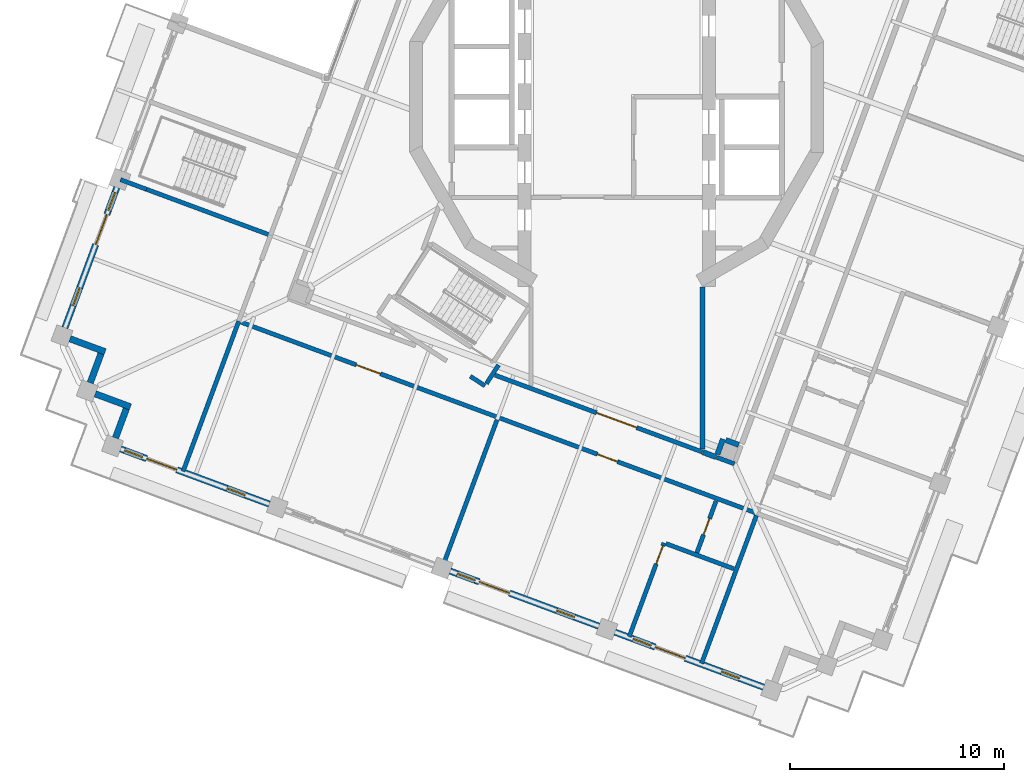
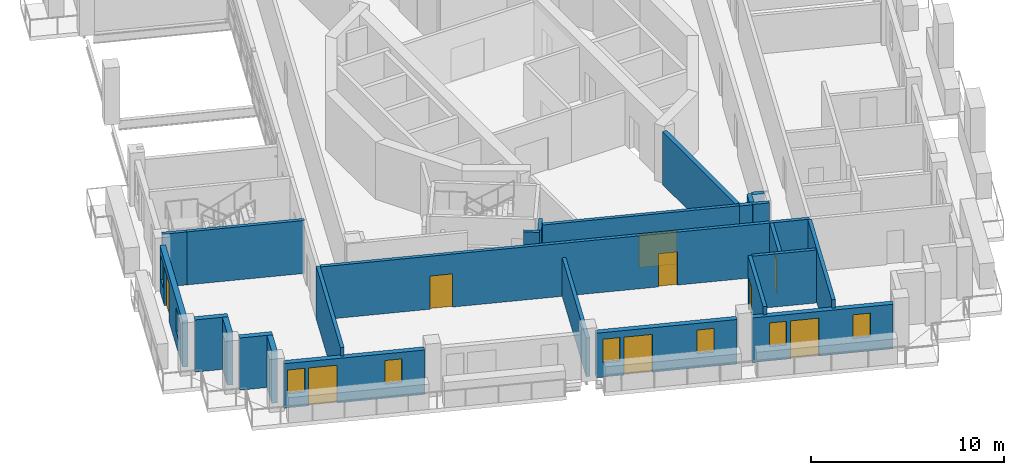
# One storey, part 7 of 20: 25 walls, 9 doors, 8 windows, 17 openings.
"""IFC4 building model written with IfcOpenShell, lengths in metres."""

from ifc_helpers import new_model, si_unit, direction, frame, frame_2d, origin, place, context, subcontext, project, spatial, rectangle, extrude, material, layer, layer_set, type_object, element, fill, save


model = new_model("IFC4")

# Units and contexts
model_context = context("Model", 3, precision=1e-05, world=origin(), true_north=direction((0.0, 1.0)))
body_context = subcontext(model_context, "Body", "Model", "MODEL_VIEW")
ifc_project = project(units=[si_unit("LENGTHUNIT", "METRE"), si_unit("AREAUNIT", "SQUARE_METRE"), si_unit("VOLUMEUNIT", "CUBIC_METRE"), si_unit("PLANEANGLEUNIT", "RADIAN"), si_unit("MASSUNIT", "GRAM", prefix="KILO")], contexts=[model_context])

# Site, building, storey
site_placement = place(None, origin())
site = spatial("IfcSite", under=ifc_project, at=site_placement, CompositionType="ELEMENT")
building_placement = place(site_placement, origin())
building = spatial("IfcBuilding", under=site, at=building_placement, Name="Cantera Rosa Tower", CompositionType="ELEMENT")
storey_placement = place(building_placement, frame((0.0, 0.0, 309.699951171875)))
storey = spatial("IfcBuildingStorey", under=building, at=storey_placement, Name="L68", CompositionType="ELEMENT", Elevation=309.699951171875)

# Wall, openings, doors
ifc_material_1 = material(Name="Gypsum board partition")
ifc_layer_1 = layer(ifc_material_1, 0.199951171875)
ifc_layer_set_1 = layer_set([ifc_layer_1], Name="CORRIDOR WALL 200 H3350")
wall_type_1 = type_object("IfcWallType", Name="CORRIDOR WALL 200 H3350", PredefinedType="PARTITIONING", material=ifc_layer_set_1)
wall_1_placement = place(storey_placement, frame((-17.52587890625, -10.515380859375, 0.0), z_axis=(0.0, 0.0, 1.0), x_axis=(0.937685670384, -0.347484652261, 0.0)))
wall_1 = element("IfcWall", 1, at=wall_1_placement, inside=storey, type_object=wall_type_1, Name="CORRIDOR WALL L68-004", PredefinedType="PARTITIONING", context=body_context, shape_type="SweptSolid", body=[
    extrude(rectangle(XDim=25.679931640625, YDim=0.199951171875, at=frame_2d((12.83984375, 0.0))), origin(), (0.0, 0.0, 1.0), 3.35009765625),
])
opening_1_placement = place(wall_1_placement, frame((5.72998046875, 0.0, 0.0)))
opening_1 = element("IfcOpeningElement", 2, at=opening_1_placement, cuts=wall_1, Name="Opening L68-027", PredefinedType="OPENING", context=body_context, shape_type="SweptSolid", body=[
    extrude(rectangle(XDim=1.199951171875, YDim=2.10009765625, at=frame_2d((0.60009765625, 1.050048828125))), frame((0.0, 0.10986328125, 0.0), z_axis=(0.0, -1.0, 0.0), x_axis=(1.0, 0.0, 0.0)), (0.0, 0.0, 1.0), 0.219970703125),
])
opening_2_placement = place(wall_1_placement, frame((17.72998046875, 0.0, 0.0)))
opening_2 = element("IfcOpeningElement", 3, at=opening_2_placement, cuts=wall_1, Name="Opening L68-028", PredefinedType="OPENING", context=body_context, shape_type="SweptSolid", body=[
    extrude(rectangle(XDim=1.0, YDim=2.10009765625, at=frame_2d((0.5, 1.050048828125))), frame((0.0, 0.10986328125, 0.0), z_axis=(0.0, -1.0, 0.0), x_axis=(1.0, 0.0, 0.0)), (0.0, 0.0, 1.0), 0.219970703125),
])
ifc_material_2 = material(Name="Timber door leaf", Category="wood")
door_type_1 = type_object("IfcDoorType", Name="ENTRANCE DOOR 1000x2100", OperationType="NOTDEFINED", PredefinedType="DOOR", material=ifc_material_2)
door_1_placement = place(opening_2_placement, origin())
door_1 = element("IfcDoor", 4, at=door_1_placement, inside=storey, type_object=door_type_1, Name="DOOR L68-028", OperationType="NOTDEFINED", OverallHeight=2.10009765625, OverallWidth=1.0, PredefinedType="DOOR", context=body_context, shape_type="SweptSolid", body=[
    extrude(rectangle(XDim=1.0, YDim=2.10009765625, at=frame_2d((0.5, 1.050048828125))), frame((0.0, 0.02490234375, 0.0), z_axis=(0.0, -1.0, 0.0), x_axis=(1.0, 0.0, 0.0)), (0.0, 0.0, 1.0), 0.050048828125),
])
fill(opening_2, door_1)
ifc_material_3 = material(Name="Timber door leaf", Category="wood")
door_type_2 = type_object("IfcDoorType", Name="ROOM DOOR 1200x2100", OperationType="NOTDEFINED", PredefinedType="DOOR", material=ifc_material_3)
door_2_placement = place(opening_1_placement, origin())
door_2 = element("IfcDoor", 5, at=door_2_placement, inside=storey, type_object=door_type_2, Name="DOOR L68-027", OperationType="NOTDEFINED", OverallHeight=2.10009765625, OverallWidth=1.199951171875, PredefinedType="DOOR", context=body_context, shape_type="SweptSolid", body=[
    extrude(rectangle(XDim=1.199951171875, YDim=2.10009765625, at=frame_2d((0.60009765625, 1.050048828125))), frame((0.0, 0.02490234375, 0.0), z_axis=(0.0, -1.0, 0.0), x_axis=(1.0, 0.0, 0.0)), (0.0, 0.0, 1.0), 0.050048828125),
])
fill(opening_1, door_2)

# Walls
wall_2_placement = place(storey_placement, frame((-6.83251953125, -13.038330078125, 0.0), z_axis=(0.0, 0.0, 1.0), x_axis=(0.838593374038, -0.54475788477, 0.0)))
element("IfcWall", 6, at=wall_2_placement, inside=storey, type_object=wall_type_1, Name="CORRIDOR WALL L68-012", PredefinedType="PARTITIONING", context=body_context, shape_type="SweptSolid", body=[
    extrude(rectangle(XDim=0.8193359375, YDim=0.199951171875, at=frame_2d((0.40966796875, 0.0))), origin(), (0.0, 0.0, 1.0), 3.35009765625),
])
wall_3_placement = place(storey_placement, frame((-6.080078125, -13.3837890625, 0.0), z_axis=(0.0, 0.0, 1.0), x_axis=(0.544566778899, 0.838717487191, 0.0)))
element("IfcWall", 7, at=wall_3_placement, inside=storey, type_object=wall_type_1, Name="CORRIDOR WALL L68-033", PredefinedType="PARTITIONING", context=body_context, shape_type="SweptSolid", body=[
    extrude(rectangle(XDim=1.038330078125, YDim=0.199951171875, at=frame_2d((0.51904296875, 0.0))), origin(), (0.0, 0.0, 1.0), 3.35009765625),
])

# Wall, opening, door
wall_4_placement = place(storey_placement, frame((-5.681396484375, -12.98486328125, 0.0), z_axis=(0.0, 0.0, 1.0), x_axis=(0.937687420186, -0.347479930391, 0.0)))
wall_4 = element("IfcWall", 8, at=wall_4_placement, inside=storey, type_object=wall_type_1, Name="CORRIDOR WALL L68-036", PredefinedType="PARTITIONING", context=body_context, shape_type="SweptSolid", body=[
    extrude(rectangle(XDim=10.32470703125, YDim=0.199951171875, at=frame_2d((5.162353515625, 0.0))), origin(), (0.0, 0.0, 1.0), 3.35009765625),
])
opening_3_placement = place(wall_4_placement, frame((5.05908203125, 0.0, 0.0)))
opening_3 = element("IfcOpeningElement", 9, at=opening_3_placement, cuts=wall_4, Name="Opening L68-011", PredefinedType="OPENING", context=body_context, shape_type="SweptSolid", body=[
    extrude(rectangle(XDim=2.0, YDim=2.10009765625, at=frame_2d((1.0, 1.050048828125))), frame((0.0, 0.10986328125, 0.0), z_axis=(0.0, -1.0, 0.0), x_axis=(1.0, 0.0, 0.0)), (0.0, 0.0, 1.0), 0.219970703125),
])
ifc_material_4 = material(Name="Steel S355J2 (EN 10025-2)", Category="steel")
door_type_3 = type_object("IfcDoorType", Name="LOBBY SCREEN DOOR 2000x2100", OperationType="NOTDEFINED", PredefinedType="DOOR", material=ifc_material_4)
door_3_placement = place(opening_3_placement, origin())
door_3 = element("IfcDoor", 10, at=door_3_placement, inside=storey, type_object=door_type_3, Name="DOOR L68-011", OperationType="NOTDEFINED", OverallHeight=2.10009765625, OverallWidth=2.0, PredefinedType="DOOR", context=body_context, shape_type="SweptSolid", body=[
    extrude(rectangle(XDim=2.0, YDim=2.10009765625, at=frame_2d((1.0, 1.050048828125))), frame((0.0, 0.02490234375, 0.0), z_axis=(0.0, -1.0, 0.0), x_axis=(1.0, 0.0, 0.0)), (0.0, 0.0, 1.0), 0.050048828125),
])
fill(opening_3, door_3)

# Walls
wall_5_placement = place(storey_placement, frame((4.666259765625, -16.819580078125, 0.0), z_axis=(0.0, 0.0, 1.0), x_axis=(0.937735373465, -0.347350499283, 0.0)))
element("IfcWall", 11, at=wall_5_placement, inside=storey, type_object=wall_type_1, Name="CORRIDOR WALL L68-070", PredefinedType="PARTITIONING", context=body_context, shape_type="SweptSolid", body=[
    extrude(rectangle(XDim=0.8798828125, YDim=0.199951171875, at=frame_2d((0.43994140625, 0.0))), origin(), (0.0, 0.0, 1.0), 3.35009765625),
])
ifc_material_5 = material(Name="Hollow clay masonry with cantera stone cladding", Category="masonry")
ifc_layer_2 = layer(ifc_material_5, 0.300048828125)
ifc_layer_set_2 = layer_set([ifc_layer_2], Name="EW-LOGGIA 300")
wall_type_2 = type_object("IfcWallType", Name="EW-LOGGIA 300", PredefinedType="SOLIDWALL", material=ifc_layer_set_2)
wall_6_placement = place(storey_placement, frame((-25.51220703125, -11.288330078125, 0.0), z_axis=(0.0, 0.0, 1.0), x_axis=(0.937669639538, -0.34752790836, 0.0)))
element("IfcWall", 12, at=wall_6_placement, inside=storey, type_object=wall_type_2, Name="EN-L68-W12a", PredefinedType="SOLIDWALL", context=body_context, shape_type="SweptSolid", body=[
    extrude(rectangle(XDim=1.75, YDim=0.300048828125, at=frame_2d((0.875, 0.0))), origin(), (0.0, 0.0, 1.0), 3.300048828125),
])
wall_7_placement = place(storey_placement, frame((-24.06396484375, -11.985107421875, 0.0), z_axis=(0.0, 0.0, 1.0), x_axis=(-0.347522732201, -0.937671557958, 0.0)))
element("IfcWall", 13, at=wall_7_placement, inside=storey, type_object=wall_type_2, Name="EN-L68-W12b", PredefinedType="SOLIDWALL", context=body_context, shape_type="SweptSolid", body=[
    extrude(rectangle(XDim=1.449951171875, YDim=0.300048828125, at=frame_2d((0.72509765625, 0.0))), origin(), (0.0, 0.0, 1.0), 3.300048828125),
])
wall_8_placement = place(storey_placement, frame((-24.331787109375, -13.858642578125, 0.0), z_axis=(0.0, 0.0, 1.0), x_axis=(0.937669639538, -0.34752790836, 0.0)))
element("IfcWall", 14, at=wall_8_placement, inside=storey, type_object=wall_type_2, Name="EN-L68-W13a", PredefinedType="SOLIDWALL", context=body_context, shape_type="SweptSolid", body=[
    extrude(rectangle(XDim=1.75, YDim=0.300048828125, at=frame_2d((0.875, 0.0))), origin(), (0.0, 0.0, 1.0), 3.300048828125),
])
wall_9_placement = place(storey_placement, frame((-22.883544921875, -14.555419921875, 0.0), z_axis=(0.0, 0.0, 1.0), x_axis=(-0.347522732201, -0.937671557958, 0.0)))
element("IfcWall", 15, at=wall_9_placement, inside=storey, type_object=wall_type_2, Name="EN-L68-W13b", PredefinedType="SOLIDWALL", context=body_context, shape_type="SweptSolid", body=[
    extrude(rectangle(XDim=1.449951171875, YDim=0.300048828125, at=frame_2d((0.72509765625, 0.0))), origin(), (0.0, 0.0, 1.0), 3.300048828125),
])

# Wall, openings, windows, door
ifc_material_6 = material(Name="Hollow clay masonry with cantera stone cladding", Category="masonry")
ifc_layer_3 = layer(ifc_material_6, 0.300048828125)
ifc_layer_set_3 = layer_set([ifc_layer_3], Name="EW-LOGGIA 300 H2820")
wall_type_3 = type_object("IfcWallType", Name="EW-LOGGIA 300 H2820", PredefinedType="SOLIDWALL", material=ifc_layer_set_3)
wall_10_placement = place(storey_placement, frame((-23.1513671875, -16.428955078125, 0.0), z_axis=(0.0, 0.0, 1.0), x_axis=(0.937676706507, -0.347508840281, 0.0)))
wall_10 = element("IfcWall", 16, at=wall_10_placement, inside=storey, type_object=wall_type_3, Name="EN-L68-W14", PredefinedType="SOLIDWALL", context=body_context, shape_type="SweptSolid", body=[
    extrude(rectangle(XDim=7.39990234375, YDim=0.300048828125, at=frame_2d((3.699951171875, 0.0))), origin(), (0.0, 0.0, 1.0), 2.820068359375),
])
opening_4_placement = place(wall_10_placement, frame((0.199951171875, 0.0, 0.89990234375)))
opening_4 = element("IfcOpeningElement", 17, at=opening_4_placement, cuts=wall_10, Name="Opening L68-W22", PredefinedType="OPENING", context=body_context, shape_type="SweptSolid", body=[
    extrude(rectangle(XDim=0.89990234375, YDim=1.5, at=frame_2d((0.449951171875, 0.75))), frame((0.0, 0.159912109375, 0.0), z_axis=(0.0, -1.0, 0.0), x_axis=(1.0, 0.0, 0.0)), (0.0, 0.0, 1.0), 0.320068359375),
])
opening_5_placement = place(wall_10_placement, frame((1.300048828125, 0.0, 0.0)))
opening_5 = element("IfcOpeningElement", 18, at=opening_5_placement, cuts=wall_10, Name="Opening L68-TD23", PredefinedType="OPENING", context=body_context, shape_type="SweptSolid", body=[
    extrude(rectangle(XDim=1.5, YDim=2.39990234375, at=frame_2d((0.75, 1.199951171875))), frame((0.0, 0.159912109375, 0.0), z_axis=(0.0, -1.0, 0.0), x_axis=(1.0, 0.0, 0.0)), (0.0, 0.0, 1.0), 0.320068359375),
])
opening_6_placement = place(wall_10_placement, frame((5.300048828125, 0.0, 0.89990234375)))
opening_6 = element("IfcOpeningElement", 19, at=opening_6_placement, cuts=wall_10, Name="Opening L68-W24", PredefinedType="OPENING", context=body_context, shape_type="SweptSolid", body=[
    extrude(rectangle(XDim=0.89990234375, YDim=1.5, at=frame_2d((0.449951171875, 0.75))), frame((0.0, 0.159912109375, 0.0), z_axis=(0.0, -1.0, 0.0), x_axis=(1.0, 0.0, 0.0)), (0.0, 0.0, 1.0), 0.320068359375),
])
ifc_material_7 = material(Name="Aluminium frame with clear glass", Category="aluminium")
window_type = type_object("IfcWindowType", Name="Residential window 900x1500", PartitioningType="SINGLE_PANEL", PredefinedType="WINDOW", material=ifc_material_7)
window_1_placement = place(opening_4_placement, origin())
window_1 = element("IfcWindow", 20, at=window_1_placement, inside=storey, type_object=window_type, Name="WINDOW L68-W22", OverallHeight=1.5, OverallWidth=0.89990234375, PartitioningType="SINGLE_PANEL", PredefinedType="WINDOW", context=body_context, shape_type="SweptSolid", body=[
    extrude(rectangle(XDim=0.89990234375, YDim=1.5, at=frame_2d((0.449951171875, 0.75))), frame((0.0, 0.030029296875, 0.0), z_axis=(0.0, -1.0, 0.0), x_axis=(1.0, 0.0, 0.0)), (0.0, 0.0, 1.0), 0.06005859375),
])
fill(opening_4, window_1)
window_2_placement = place(opening_6_placement, origin())
window_2 = element("IfcWindow", 21, at=window_2_placement, inside=storey, type_object=window_type, Name="WINDOW L68-W24", OverallHeight=1.5, OverallWidth=0.89990234375, PartitioningType="SINGLE_PANEL", PredefinedType="WINDOW", context=body_context, shape_type="SweptSolid", body=[
    extrude(rectangle(XDim=0.89990234375, YDim=1.5, at=frame_2d((0.449951171875, 0.75))), frame((0.0, 0.030029296875, 0.0), z_axis=(0.0, -1.0, 0.0), x_axis=(1.0, 0.0, 0.0)), (0.0, 0.0, 1.0), 0.06005859375),
])
fill(opening_6, window_2)
ifc_material_8 = material(Name="Aluminium frame with clear glass", Category="aluminium")
door_type_4 = type_object("IfcDoorType", Name="TD-R 1500x2400", OperationType="NOTDEFINED", PredefinedType="DOOR", material=ifc_material_8)
door_4_placement = place(opening_5_placement, origin())
door_4 = element("IfcDoor", 22, at=door_4_placement, inside=storey, type_object=door_type_4, Name="LOGGIA DOOR L68-TD23", OperationType="SLIDING_TO_LEFT", OverallHeight=2.39990234375, OverallWidth=1.5, PredefinedType="DOOR", context=body_context, shape_type="SweptSolid", body=[
    extrude(rectangle(XDim=1.5, YDim=2.39990234375, at=frame_2d((0.75, 1.199951171875))), frame((0.0, 0.02490234375, 0.0), z_axis=(0.0, -1.0, 0.0), x_axis=(1.0, 0.0, 0.0)), (0.0, 0.0, 1.0), 0.050048828125),
])
fill(opening_5, door_4)

wall_11_placement = place(storey_placement, frame((-7.7734375, -22.127685546875, 0.0), z_axis=(0.0, 0.0, 1.0), x_axis=(0.937680690562, -0.34749808999, 0.0)))
wall_11 = element("IfcWall", 23, at=wall_11_placement, inside=storey, type_object=wall_type_3, Name="EN-L68-W16", PredefinedType="SOLIDWALL", context=body_context, shape_type="SweptSolid", body=[
    extrude(rectangle(XDim=7.400146484375, YDim=0.300048828125, at=frame_2d((3.7001953125, 0.0))), origin(), (0.0, 0.0, 1.0), 2.820068359375),
])
opening_7_placement = place(wall_11_placement, frame((0.35009765625, 0.0, 0.89990234375)))
opening_7 = element("IfcOpeningElement", 24, at=opening_7_placement, cuts=wall_11, Name="Opening L68-W28", PredefinedType="OPENING", context=body_context, shape_type="SweptSolid", body=[
    extrude(rectangle(XDim=0.89990234375, YDim=1.5, at=frame_2d((0.449951171875, 0.75))), frame((0.0, 0.159912109375, 0.0), z_axis=(0.0, -1.0, 0.0), x_axis=(1.0, 0.0, 0.0)), (0.0, 0.0, 1.0), 0.320068359375),
])
opening_8_placement = place(wall_11_placement, frame((1.449951171875, 0.0, 0.0)))
opening_8 = element("IfcOpeningElement", 25, at=opening_8_placement, cuts=wall_11, Name="Opening L68-TD29", PredefinedType="OPENING", context=body_context, shape_type="SweptSolid", body=[
    extrude(rectangle(XDim=1.5, YDim=2.39990234375, at=frame_2d((0.75, 1.199951171875))), frame((0.0, 0.159912109375, 0.0), z_axis=(0.0, -1.0, 0.0), x_axis=(1.0, 0.0, 0.0)), (0.0, 0.0, 1.0), 0.320068359375),
])
opening_9_placement = place(wall_11_placement, frame((5.300048828125, 0.0, 0.89990234375)))
opening_9 = element("IfcOpeningElement", 26, at=opening_9_placement, cuts=wall_11, Name="Opening L68-W30", PredefinedType="OPENING", context=body_context, shape_type="SweptSolid", body=[
    extrude(rectangle(XDim=0.89990234375, YDim=1.5, at=frame_2d((0.449951171875, 0.75))), frame((0.0, 0.159912109375, 0.0), z_axis=(0.0, -1.0, 0.0), x_axis=(1.0, 0.0, 0.0)), (0.0, 0.0, 1.0), 0.320068359375),
])
window_3_placement = place(opening_7_placement, origin())
window_3 = element("IfcWindow", 27, at=window_3_placement, inside=storey, type_object=window_type, Name="WINDOW L68-W28", OverallHeight=1.5, OverallWidth=0.89990234375, PartitioningType="SINGLE_PANEL", PredefinedType="WINDOW", context=body_context, shape_type="SweptSolid", body=[
    extrude(rectangle(XDim=0.89990234375, YDim=1.5, at=frame_2d((0.449951171875, 0.75))), frame((0.0, 0.030029296875, 0.0), z_axis=(0.0, -1.0, 0.0), x_axis=(1.0, 0.0, 0.0)), (0.0, 0.0, 1.0), 0.06005859375),
])
fill(opening_7, window_3)
window_4_placement = place(opening_9_placement, origin())
window_4 = element("IfcWindow", 28, at=window_4_placement, inside=storey, type_object=window_type, Name="WINDOW L68-W30", OverallHeight=1.5, OverallWidth=0.89990234375, PartitioningType="SINGLE_PANEL", PredefinedType="WINDOW", context=body_context, shape_type="SweptSolid", body=[
    extrude(rectangle(XDim=0.89990234375, YDim=1.5, at=frame_2d((0.449951171875, 0.75))), frame((0.0, 0.030029296875, 0.0), z_axis=(0.0, -1.0, 0.0), x_axis=(1.0, 0.0, 0.0)), (0.0, 0.0, 1.0), 0.06005859375),
])
fill(opening_9, window_4)
door_5_placement = place(opening_8_placement, origin())
door_5 = element("IfcDoor", 29, at=door_5_placement, inside=storey, type_object=door_type_4, Name="LOGGIA DOOR L68-TD29", OperationType="SLIDING_TO_LEFT", OverallHeight=2.39990234375, OverallWidth=1.5, PredefinedType="DOOR", context=body_context, shape_type="SweptSolid", body=[
    extrude(rectangle(XDim=1.5, YDim=2.39990234375, at=frame_2d((0.75, 1.199951171875))), frame((0.0, 0.02490234375, 0.0), z_axis=(0.0, -1.0, 0.0), x_axis=(1.0, 0.0, 0.0)), (0.0, 0.0, 1.0), 0.050048828125),
])
fill(opening_8, door_5)

wall_12_placement = place(storey_placement, frame((-0.084228515625, -24.97705078125, 0.0), z_axis=(0.0, 0.0, 1.0), x_axis=(0.937687456783, -0.347479831633, 0.0)))
wall_12 = element("IfcWall", 30, at=wall_12_placement, inside=storey, type_object=wall_type_3, Name="EN-L68-W17", PredefinedType="SOLIDWALL", context=body_context, shape_type="SweptSolid", body=[
    extrude(rectangle(XDim=7.39990234375, YDim=0.300048828125, at=frame_2d((3.699951171875, 0.0))), origin(), (0.0, 0.0, 1.0), 2.820068359375),
])
opening_10_placement = place(wall_12_placement, frame((0.89990234375, 0.0, 0.89990234375)))
opening_10 = element("IfcOpeningElement", 31, at=opening_10_placement, cuts=wall_12, Name="Opening L68-W31", PredefinedType="OPENING", context=body_context, shape_type="SweptSolid", body=[
    extrude(rectangle(XDim=0.89990234375, YDim=1.5, at=frame_2d((0.449951171875, 0.75))), frame((0.0, 0.159912109375, 0.0), z_axis=(0.0, -1.0, 0.0), x_axis=(1.0, 0.0, 0.0)), (0.0, 0.0, 1.0), 0.320068359375),
])
opening_11_placement = place(wall_12_placement, frame((2.0, 0.0, 0.0)))
opening_11 = element("IfcOpeningElement", 32, at=opening_11_placement, cuts=wall_12, Name="Opening L68-TD32", PredefinedType="OPENING", context=body_context, shape_type="SweptSolid", body=[
    extrude(rectangle(XDim=1.5, YDim=2.39990234375, at=frame_2d((0.75, 1.199951171875))), frame((0.0, 0.159912109375, 0.0), z_axis=(0.0, -1.0, 0.0), x_axis=(1.0, 0.0, 0.0)), (0.0, 0.0, 1.0), 0.320068359375),
])
opening_12_placement = place(wall_12_placement, frame((5.300048828125, 0.0, 0.89990234375)))
opening_12 = element("IfcOpeningElement", 33, at=opening_12_placement, cuts=wall_12, Name="Opening L68-W33", PredefinedType="OPENING", context=body_context, shape_type="SweptSolid", body=[
    extrude(rectangle(XDim=0.89990234375, YDim=1.5, at=frame_2d((0.449951171875, 0.75))), frame((0.0, 0.159912109375, 0.0), z_axis=(0.0, -1.0, 0.0), x_axis=(1.0, 0.0, 0.0)), (0.0, 0.0, 1.0), 0.320068359375),
])
window_5_placement = place(opening_10_placement, origin())
window_5 = element("IfcWindow", 34, at=window_5_placement, inside=storey, type_object=window_type, Name="WINDOW L68-W31", OverallHeight=1.5, OverallWidth=0.89990234375, PartitioningType="SINGLE_PANEL", PredefinedType="WINDOW", context=body_context, shape_type="SweptSolid", body=[
    extrude(rectangle(XDim=0.89990234375, YDim=1.5, at=frame_2d((0.449951171875, 0.75))), frame((0.0, 0.030029296875, 0.0), z_axis=(0.0, -1.0, 0.0), x_axis=(1.0, 0.0, 0.0)), (0.0, 0.0, 1.0), 0.06005859375),
])
fill(opening_10, window_5)
window_6_placement = place(opening_12_placement, origin())
window_6 = element("IfcWindow", 35, at=window_6_placement, inside=storey, type_object=window_type, Name="WINDOW L68-W33", OverallHeight=1.5, OverallWidth=0.89990234375, PartitioningType="SINGLE_PANEL", PredefinedType="WINDOW", context=body_context, shape_type="SweptSolid", body=[
    extrude(rectangle(XDim=0.89990234375, YDim=1.5, at=frame_2d((0.449951171875, 0.75))), frame((0.0, 0.030029296875, 0.0), z_axis=(0.0, -1.0, 0.0), x_axis=(1.0, 0.0, 0.0)), (0.0, 0.0, 1.0), 0.06005859375),
])
fill(opening_12, window_6)
door_6_placement = place(opening_11_placement, origin())
door_6 = element("IfcDoor", 36, at=door_6_placement, inside=storey, type_object=door_type_4, Name="LOGGIA DOOR L68-TD32", OperationType="SLIDING_TO_LEFT", OverallHeight=2.39990234375, OverallWidth=1.5, PredefinedType="DOOR", context=body_context, shape_type="SweptSolid", body=[
    extrude(rectangle(XDim=1.5, YDim=2.39990234375, at=frame_2d((0.75, 1.199951171875))), frame((0.0, 0.02490234375, 0.0), z_axis=(0.0, -1.0, 0.0), x_axis=(1.0, 0.0, 0.0)), (0.0, 0.0, 1.0), 0.050048828125),
])
fill(opening_11, door_6)

ifc_material_9 = material(Name="Hollow clay masonry with cantera stone cladding", Category="masonry")
ifc_layer_4 = layer(ifc_material_9, 0.300048828125)
ifc_layer_set_4 = layer_set([ifc_layer_4], Name="EW-LOGGIA 300 H2890")
wall_type_4 = type_object("IfcWallType", Name="EW-LOGGIA 300 H2890", PredefinedType="SOLIDWALL", material=ifc_layer_set_4)
wall_13_placement = place(storey_placement, frame((-23.322998046875, -4.229248046875, 0.0), z_axis=(0.0, 0.0, 1.0), x_axis=(-0.347460165909, -0.937694744097, 0.0)))
wall_13 = element("IfcWall", 37, at=wall_13_placement, inside=storey, type_object=wall_type_4, Name="EN-L68-W11", PredefinedType="SOLIDWALL", context=body_context, shape_type="SweptSolid", body=[
    extrude(rectangle(XDim=6.97998046875, YDim=0.300048828125, at=frame_2d((3.489990234375, 0.0))), origin(), (0.0, 0.0, 1.0), 2.89013671875),
])
opening_13_placement = place(wall_13_placement, frame((0.2451171875, 0.0, 0.89990234375)))
opening_13 = element("IfcOpeningElement", 38, at=opening_13_placement, cuts=wall_13, Name="Opening L68-W19", PredefinedType="OPENING", context=body_context, shape_type="SweptSolid", body=[
    extrude(rectangle(XDim=0.89990234375, YDim=1.5, at=frame_2d((0.449951171875, 0.75))), frame((0.0, 0.159912109375, 0.0), z_axis=(0.0, -1.0, 0.0), x_axis=(1.0, 0.0, 0.0)), (0.0, 0.0, 1.0), 0.320068359375),
])
opening_14_placement = place(wall_13_placement, frame((1.344970703125, 0.0, 0.0)))
opening_14 = element("IfcOpeningElement", 39, at=opening_14_placement, cuts=wall_13, Name="Opening L68-TD20", PredefinedType="OPENING", context=body_context, shape_type="SweptSolid", body=[
    extrude(rectangle(XDim=1.5, YDim=2.39990234375, at=frame_2d((0.75, 1.199951171875))), frame((0.0, 0.159912109375, 0.0), z_axis=(0.0, -1.0, 0.0), x_axis=(1.0, 0.0, 0.0)), (0.0, 0.0, 1.0), 0.320068359375),
])
opening_15_placement = place(wall_13_placement, frame((4.985107421875, 0.0, 0.89990234375)))
opening_15 = element("IfcOpeningElement", 40, at=opening_15_placement, cuts=wall_13, Name="Opening L68-W21", PredefinedType="OPENING", context=body_context, shape_type="SweptSolid", body=[
    extrude(rectangle(XDim=0.89990234375, YDim=1.5, at=frame_2d((0.449951171875, 0.75))), frame((0.0, 0.159912109375, 0.0), z_axis=(0.0, -1.0, 0.0), x_axis=(1.0, 0.0, 0.0)), (0.0, 0.0, 1.0), 0.320068359375),
])
window_7_placement = place(opening_13_placement, origin())
window_7 = element("IfcWindow", 41, at=window_7_placement, inside=storey, type_object=window_type, Name="WINDOW L68-W19", OverallHeight=1.5, OverallWidth=0.89990234375, PartitioningType="SINGLE_PANEL", PredefinedType="WINDOW", context=body_context, shape_type="SweptSolid", body=[
    extrude(rectangle(XDim=0.89990234375, YDim=1.5, at=frame_2d((0.449951171875, 0.75))), frame((0.0, 0.030029296875, 0.0), z_axis=(0.0, -1.0, 0.0), x_axis=(1.0, 0.0, 0.0)), (0.0, 0.0, 1.0), 0.06005859375),
])
fill(opening_13, window_7)
window_8_placement = place(opening_15_placement, origin())
window_8 = element("IfcWindow", 42, at=window_8_placement, inside=storey, type_object=window_type, Name="WINDOW L68-W21", OverallHeight=1.5, OverallWidth=0.89990234375, PartitioningType="SINGLE_PANEL", PredefinedType="WINDOW", context=body_context, shape_type="SweptSolid", body=[
    extrude(rectangle(XDim=0.89990234375, YDim=1.5, at=frame_2d((0.449951171875, 0.75))), frame((0.0, 0.030029296875, 0.0), z_axis=(0.0, -1.0, 0.0), x_axis=(1.0, 0.0, 0.0)), (0.0, 0.0, 1.0), 0.06005859375),
])
fill(opening_15, window_8)
door_7_placement = place(opening_14_placement, origin())
door_7 = element("IfcDoor", 43, at=door_7_placement, inside=storey, type_object=door_type_4, Name="LOGGIA DOOR L68-TD20", OperationType="SLIDING_TO_LEFT", OverallHeight=2.39990234375, OverallWidth=1.5, PredefinedType="DOOR", context=body_context, shape_type="SweptSolid", body=[
    extrude(rectangle(XDim=1.5, YDim=2.39990234375, at=frame_2d((0.75, 1.199951171875))), frame((0.0, 0.02490234375, 0.0), z_axis=(0.0, -1.0, 0.0), x_axis=(1.0, 0.0, 0.0)), (0.0, 0.0, 1.0), 0.050048828125),
])
fill(opening_14, door_7)

# Wall
ifc_material_10 = material(Name="Gypsum board partition")
ifc_layer_5 = layer(ifc_material_10, 0.199951171875)
ifc_layer_set_5 = layer_set([ifc_layer_5], Name="PARTITION 200 H3350")
wall_type_5 = type_object("IfcWallType", Name="PARTITION 200 H3350", PredefinedType="PARTITIONING", material=ifc_layer_set_5)
wall_14_placement = place(storey_placement, frame((-17.638427734375, -10.4736328125, 0.0), z_axis=(0.0, 0.0, 1.0), x_axis=(-0.347488923611, -0.937684087509, 0.0)))
element("IfcWall", 44, at=wall_14_placement, inside=storey, type_object=wall_type_5, Name="PARTITION L68-003", PredefinedType="PARTITIONING", context=body_context, shape_type="SweptSolid", body=[
    extrude(rectangle(XDim=7.469970703125, YDim=0.199951171875, at=frame_2d((3.73486328125, 0.0))), origin(), (0.0, 0.0, 1.0), 3.35009765625),
])

# Wall, opening, door
wall_15_placement = place(storey_placement, frame((0.58251953125, -25.192138671875, 0.0), z_axis=(0.0, 0.0, 1.0), x_axis=(0.347453975961, 0.937697037741, 0.0)))
wall_15 = element("IfcWall", 45, at=wall_15_placement, inside=storey, type_object=wall_type_5, Name="PARTITION L68-054", PredefinedType="PARTITIONING", context=body_context, shape_type="SweptSolid", body=[
    extrude(rectangle(XDim=4.669921875, YDim=0.199951171875, at=frame_2d((2.3349609375, 0.0))), origin(), (0.0, 0.0, 1.0), 3.35009765625),
])
opening_16_placement = place(wall_15_placement, frame((3.6201171875, 0.0, 0.0)))
opening_16 = element("IfcOpeningElement", 46, at=opening_16_placement, cuts=wall_15, Name="Opening L68-030", PredefinedType="OPENING", context=body_context, shape_type="SweptSolid", body=[
    extrude(rectangle(XDim=0.89990234375, YDim=2.10009765625, at=frame_2d((0.449951171875, 1.050048828125))), frame((0.0, 0.10986328125, 0.0), z_axis=(0.0, -1.0, 0.0), x_axis=(1.0, 0.0, 0.0)), (0.0, 0.0, 1.0), 0.219970703125),
])
ifc_material_11 = material(Name="Timber door leaf", Category="wood")
door_type_5 = type_object("IfcDoorType", Name="ROOM DOOR 900x2100", OperationType="NOTDEFINED", PredefinedType="DOOR", material=ifc_material_11)
door_8_placement = place(opening_16_placement, origin())
door_8 = element("IfcDoor", 47, at=door_8_placement, inside=storey, type_object=door_type_5, Name="DOOR L68-030", OperationType="NOTDEFINED", OverallHeight=2.10009765625, OverallWidth=0.89990234375, PredefinedType="DOOR", context=body_context, shape_type="SweptSolid", body=[
    extrude(rectangle(XDim=0.89990234375, YDim=2.10009765625, at=frame_2d((0.449951171875, 1.050048828125))), frame((0.0, 0.02490234375, 0.0), z_axis=(0.0, -1.0, 0.0), x_axis=(1.0, 0.0, 0.0)), (0.0, 0.0, 1.0), 0.050048828125),
])
fill(opening_16, door_8)

# Wall
wall_16_placement = place(storey_placement, frame((2.299072265625, -20.847900390625, 0.0), z_axis=(0.0, 0.0, 1.0), x_axis=(0.937681654431, -0.347495489098, 0.0)))
element("IfcWall", 48, at=wall_16_placement, inside=storey, type_object=wall_type_5, Name="PARTITION L68-060", PredefinedType="PARTITIONING", context=body_context, shape_type="SweptSolid", body=[
    extrude(rectangle(XDim=3.380126953125, YDim=0.199951171875, at=frame_2d((1.68994140625, 0.0))), origin(), (0.0, 0.0, 1.0), 3.35009765625),
])

# Wall, opening, door
wall_17_placement = place(storey_placement, frame((3.740234375, -21.275390625, 0.0), z_axis=(0.0, 0.0, 1.0), x_axis=(0.34748078016, 0.937687105286, 0.0)))
wall_17 = element("IfcWall", 49, at=wall_17_placement, inside=storey, type_object=wall_type_5, Name="PARTITION L68-061", PredefinedType="PARTITIONING", context=body_context, shape_type="SweptSolid", body=[
    extrude(rectangle(XDim=2.579833984375, YDim=0.199951171875, at=frame_2d((1.2900390625, 0.0))), origin(), (0.0, 0.0, 1.0), 3.35009765625),
])
opening_17_placement = place(wall_17_placement, frame((0.89990234375, 0.0, 0.0)))
opening_17 = element("IfcOpeningElement", 50, at=opening_17_placement, cuts=wall_17, Name="Opening L68-029", PredefinedType="OPENING", context=body_context, shape_type="SweptSolid", body=[
    extrude(rectangle(XDim=0.800048828125, YDim=2.10009765625, at=frame_2d((0.39990234375, 1.050048828125))), frame((0.0, 0.10986328125, 0.0), z_axis=(0.0, -1.0, 0.0), x_axis=(1.0, 0.0, 0.0)), (0.0, 0.0, 1.0), 0.219970703125),
])
ifc_material_12 = material(Name="Timber door leaf", Category="wood")
door_type_6 = type_object("IfcDoorType", Name="BATHROOM DOOR 800x2100", OperationType="NOTDEFINED", PredefinedType="DOOR", material=ifc_material_12)
door_9_placement = place(opening_17_placement, origin())
door_9 = element("IfcDoor", 51, at=door_9_placement, inside=storey, type_object=door_type_6, Name="DOOR L68-029", OperationType="NOTDEFINED", OverallHeight=2.10009765625, OverallWidth=0.800048828125, PredefinedType="DOOR", context=body_context, shape_type="SweptSolid", body=[
    extrude(rectangle(XDim=0.800048828125, YDim=2.10009765625, at=frame_2d((0.39990234375, 1.050048828125))), frame((0.0, 0.02490234375, 0.0), z_axis=(0.0, -1.0, 0.0), x_axis=(1.0, 0.0, 0.0)), (0.0, 0.0, 1.0), 0.050048828125),
])
fill(opening_17, door_9)

# Walls
ifc_material_13 = material(Name="Gypsum board partition")
ifc_layer_6 = layer(ifc_material_13, 0.199951171875)
ifc_layer_set_6 = layer_set([ifc_layer_6], Name="PARTY WALL 200 H2450")
wall_type_6 = type_object("IfcWallType", Name="PARTY WALL 200 H2450", PredefinedType="PARTITIONING", material=ifc_layer_set_6)
wall_18_placement = place(storey_placement, frame((-5.583984375, -15.068603515625, 0.0), z_axis=(0.0, 0.0, 1.0), x_axis=(-0.347473379308, -0.937689847803, 0.0)))
element("IfcWall", 52, at=wall_18_placement, inside=storey, type_object=wall_type_6, Name="PARTY WALL L68-038", PredefinedType="PARTITIONING", context=body_context, shape_type="SweptSolid", body=[
    extrude(rectangle(XDim=7.35009765625, YDim=0.199951171875, at=frame_2d((3.675048828125, 0.0))), origin(), (0.0, 0.0, 1.0), 2.449951171875),
])
ifc_material_14 = material(Name="Gypsum board partition")
ifc_layer_7 = layer(ifc_material_14, 0.199951171875)
ifc_layer_set_7 = layer_set([ifc_layer_7], Name="PARTY WALL 200 H3350")
wall_type_7 = type_object("IfcWallType", Name="PARTY WALL 200 H3350", PredefinedType="PARTITIONING", material=ifc_layer_set_7)
wall_19_placement = place(storey_placement, frame((3.958251953125, -26.443115234375, 0.0), z_axis=(0.0, 0.0, 1.0), x_axis=(0.347468637221, 0.937691605032, 0.0)))
element("IfcWall", 53, at=wall_19_placement, inside=storey, type_object=wall_type_7, Name="PARTY WALL L68-062", PredefinedType="PARTITIONING", context=body_context, shape_type="SweptSolid", body=[
    extrude(rectangle(XDim=7.369873046875, YDim=0.199951171875, at=frame_2d((3.68505859375, 0.0))), origin(), (0.0, 0.0, 1.0), 3.35009765625),
])
ifc_material_15 = material(Name="Masonry blockwork", Category="masonry")
ifc_layer_8 = layer(ifc_material_15, 0.25)
ifc_layer_set_8 = layer_set([ifc_layer_8], Name="SHAFT WALL 250 H3350")
wall_type_8 = type_object("IfcWallType", Name="SHAFT WALL 250 H3350", PredefinedType="SOLIDWALL", material=ifc_layer_set_8)
wall_20_placement = place(storey_placement, frame((4.0, -16.4326171875, 0.0), z_axis=(0.0, 0.0, 1.0), x_axis=(0.0, 1.0, 0.0)))
element("IfcWall", 54, at=wall_20_placement, inside=storey, type_object=wall_type_8, Name="SHAFT WALL L68-064", PredefinedType="SOLIDWALL", context=body_context, shape_type="SweptSolid", body=[
    extrude(rectangle(XDim=7.5537109375, YDim=0.25, at=frame_2d((3.77685546875, 0.0))), origin(), (0.0, 0.0, 1.0), 3.35009765625),
])
wall_21_placement = place(storey_placement, frame((4.018798828125, -16.57958984375, 0.0), z_axis=(0.0, 0.0, 1.0), x_axis=(0.937713613764, -0.347409237876, 0.0)))
element("IfcWall", 55, at=wall_21_placement, inside=storey, type_object=wall_type_8, Name="SHAFT WALL L68-065", PredefinedType="SOLIDWALL", context=body_context, shape_type="SweptSolid", body=[
    extrude(rectangle(XDim=0.67041015625, YDim=0.25, at=frame_2d((0.335205078125, 0.0))), origin(), (0.0, 0.0, 1.0), 3.35009765625),
])
wall_22_placement = place(storey_placement, frame((4.960205078125, -15.96875, 0.0), z_axis=(0.0, 0.0, 1.0), x_axis=(-0.347282965849, -0.937760386043, 0.0)))
element("IfcWall", 56, at=wall_22_placement, inside=storey, type_object=wall_type_8, Name="SHAFT WALL L68-072", PredefinedType="SOLIDWALL", context=body_context, shape_type="SweptSolid", body=[
    extrude(rectangle(XDim=0.760009765625, YDim=0.25, at=frame_2d((0.3798828125, 0.0))), origin(), (0.0, 0.0, 1.0), 3.35009765625),
])
wall_23_placement = place(storey_placement, frame((5.691650390625, -16.23974609375, 0.0), z_axis=(0.0, 0.0, 1.0), x_axis=(-0.937670508839, 0.347525562877, 0.0)))
element("IfcWall", 57, at=wall_23_placement, inside=storey, type_object=wall_type_8, Name="SHAFT WALL L68-074", PredefinedType="SOLIDWALL", context=body_context, shape_type="SweptSolid", body=[
    extrude(rectangle(XDim=0.639892578125, YDim=0.25, at=frame_2d((0.31982421875, 0.0))), origin(), (0.0, 0.0, 1.0), 3.35009765625),
])
ifc_material_16 = material(Name="Concrete C50/60", Category="concrete")
ifc_layer_9 = layer(ifc_material_16, 0.199951171875)
ifc_layer_set_9 = layer_set([ifc_layer_9], Name="STAIR WALL 200 H3350")
wall_type_9 = type_object("IfcWallType", Name="STAIR WALL 200 H3350", PredefinedType="SOLIDWALL", material=ifc_layer_set_9)
wall_24_placement = place(storey_placement, frame((-23.15576171875, -3.864501953125, 0.0), z_axis=(0.0, 0.0, 1.0), x_axis=(0.937642248704, -0.347601802994, 0.0)))
element("IfcWall", 58, at=wall_24_placement, inside=storey, type_object=wall_type_9, Name="STAIR WALL L68-001", PredefinedType="SOLIDWALL", context=body_context, shape_type="SweptSolid", body=[
    extrude(rectangle(XDim=1.300048828125, YDim=0.199951171875, at=frame_2d((0.64990234375, 0.0))), origin(), (0.0, 0.0, 1.0), 3.35009765625),
])
wall_25_placement = place(storey_placement, frame((-21.936767578125, -4.31640625, 0.0), z_axis=(0.0, 0.0, 1.0), x_axis=(0.937692901762, -0.347465137797, 0.0)))
element("IfcWall", 59, at=wall_25_placement, inside=storey, type_object=wall_type_9, Name="STAIR WALL L68-001 J", PredefinedType="SOLIDWALL", context=body_context, shape_type="SweptSolid", body=[
    extrude(rectangle(XDim=6.169921875, YDim=0.199951171875, at=frame_2d((3.0849609375, 0.0))), origin(), (0.0, 0.0, 1.0), 3.35009765625),
])

save(model, "model.ifc")
